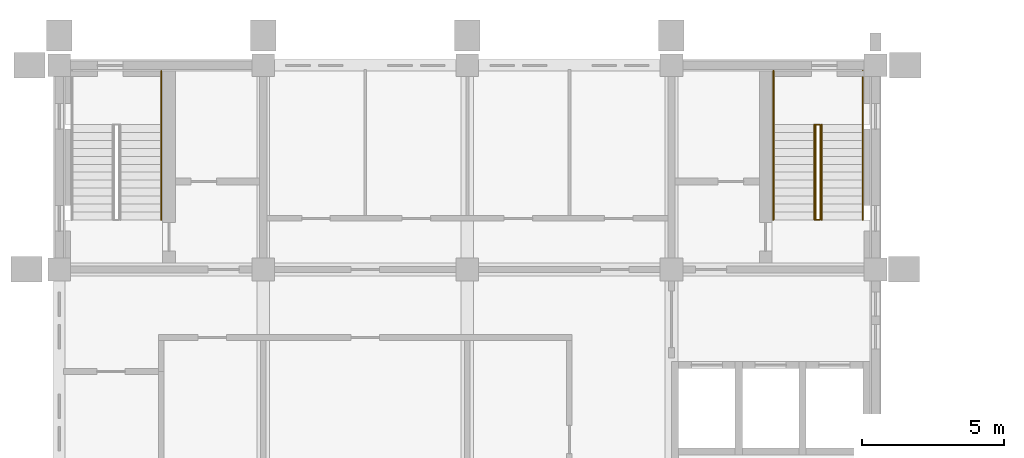
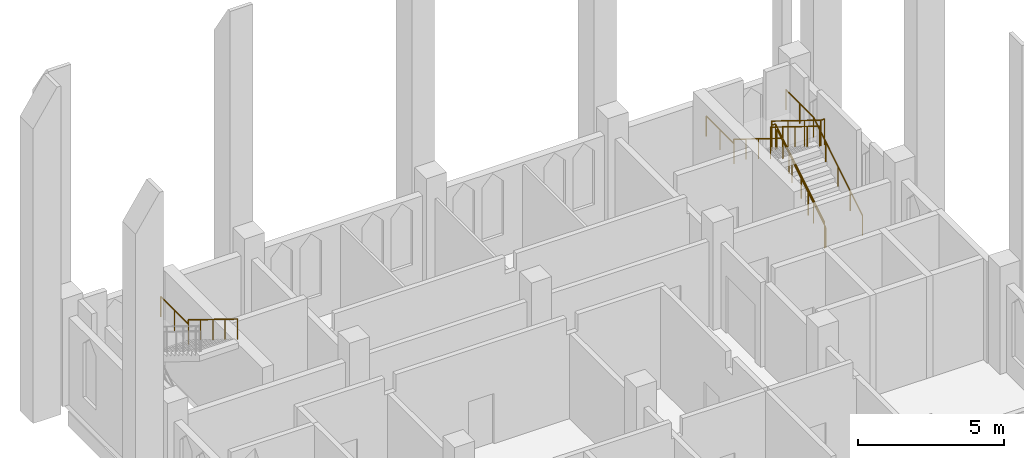
# One storey, part 29 of 29: 6 railings.
"""IFC4 building model written with IfcOpenShell, lengths in metres."""

from ifc_helpers import new_model, si_unit, direction, frame, origin, origin_2d, place, context, subcontext, project, spatial, circle, extrude, material, type_object, element, save


model = new_model("IFC4")

# Units and contexts
model_context = context("Model", 3, precision=1e-05, world=origin(), true_north=direction((0.0, 1.0)))
body_context = subcontext(model_context, "Body", "Model", "MODEL_VIEW")
ifc_project = project(units=[si_unit("LENGTHUNIT", "METRE"), si_unit("AREAUNIT", "SQUARE_METRE"), si_unit("VOLUMEUNIT", "CUBIC_METRE"), si_unit("PLANEANGLEUNIT", "RADIAN"), si_unit("MASSUNIT", "GRAM", prefix="KILO")], contexts=[model_context])

# Site, building, storey
site_placement = place(None, origin())
site = spatial("IfcSite", under=ifc_project, at=site_placement, CompositionType="ELEMENT")
building_placement = place(site_placement, origin())
building = spatial("IfcBuilding", under=site, at=building_placement, Name="Silangan Lancet Faculty of Sciences", CompositionType="ELEMENT")
storey_placement = place(building_placement, frame((0.0, 0.0, 40.800048828125)))
storey = spatial("IfcBuildingStorey", under=building, at=storey_placement, Name="L08", CompositionType="ELEMENT", Elevation=40.800048828125)

# Railings
ifc_material_1 = material(Name="Steel balustrade", Category="steel")
railing_type_1 = type_object("IfcRailingType", Name="STAIR GUARD 1100", PredefinedType="GUARDRAIL", material=ifc_material_1)
railing_1_placement = place(storey_placement, frame((26.85009765625, 52.14990234375, 0.173095703125)))
element("IfcRailing", 1, at=railing_1_placement, inside=storey, type_object=railing_type_1, Name="GUARD-NT-B-L08", PredefinedType="GUARDRAIL", context=body_context, shape_type="SweptSolid", body=[
    extrude(circle(Radius=0.02392578125, at=origin_2d()), frame((0.0, 0.0, 1.076171875), z_axis=(0.0, 0.850623216509, 0.525775754039), x_axis=(-1.0, 0.0, 0.0)), (0.0, 0.0, 1.0), 3.9501953125),
    extrude(circle(Radius=0.02392578125, at=origin_2d()), frame((0.0, 3.360107421875, 3.15283203125), z_axis=(-1.0, 0.0, 0.0), x_axis=(0.0, -1.0, 0.0)), (0.0, 0.0, 1.0), 0.150146484375),
    extrude(circle(Radius=0.02392578125, at=origin_2d()), frame((-0.150146484375, 3.360107421875, 3.15283203125), z_axis=(0.0, 0.0, 1.0), x_axis=(1.0, 0.0, 0.0)), (0.0, 0.0, 1.0), 0.173095703125),
    extrude(circle(Radius=0.02392578125, at=origin_2d()), frame((-0.150146484375, 3.360107421875, 3.326171875), z_axis=(0.0, -0.850623216509, 0.525775754039), x_axis=(1.0, 0.0, 0.0)), (0.0, 0.0, 1.0), 3.9501953125),
    extrude(circle(Radius=0.02392578125, at=origin_2d()), frame((-0.150146484375, 0.0, 5.40283203125), z_axis=(1.0, 0.0, 0.0), x_axis=(0.0, 1.0, 0.0)), (0.0, 0.0, 1.0), 0.150146484375),
    extrude(circle(Radius=0.02099609375, at=origin_2d()), origin(), (0.0, 0.0, 1.0), 1.052001953125),
    extrude(circle(Radius=0.02099609375, at=origin_2d()), frame((0.0, 1.1201171875, 0.6923828125)), (0.0, 0.0, 1.0), 1.052001953125),
    extrude(circle(Radius=0.02099609375, at=origin_2d()), frame((0.0, 2.239990234375, 1.384521484375)), (0.0, 0.0, 1.0), 1.052001953125),
    extrude(circle(Radius=0.02099609375, at=origin_2d()), frame((0.0, 3.360107421875, 2.076904296875)), (0.0, 0.0, 1.0), 1.052001953125),
    extrude(circle(Radius=0.02099609375, at=origin_2d()), frame((-0.150146484375, 3.360107421875, 2.076904296875)), (0.0, 0.0, 1.0), 1.052001953125),
    extrude(circle(Radius=0.02099609375, at=origin_2d()), frame((-0.150146484375, 3.360107421875, 2.25)), (0.0, 0.0, 1.0), 1.052001953125),
    extrude(circle(Radius=0.02099609375, at=origin_2d()), frame((-0.150146484375, 2.239990234375, 2.9423828125)), (0.0, 0.0, 1.0), 1.052001953125),
    extrude(circle(Radius=0.02099609375, at=origin_2d()), frame((-0.150146484375, 1.1201171875, 3.634521484375)), (0.0, 0.0, 1.0), 1.052001953125),
    extrude(circle(Radius=0.02099609375, at=origin_2d()), frame((-0.150146484375, 0.0, 4.326904296875)), (0.0, 0.0, 1.0), 1.052001953125),
    extrude(circle(Radius=0.02099609375, at=origin_2d()), frame((0.0, 0.0, 4.326904296875)), (0.0, 0.0, 1.0), 1.052001953125),
])
ifc_material_2 = material(Name="Stainless steel", Category="steel")
railing_type_2 = type_object("IfcRailingType", Name="STAIR HANDRAIL 865", PredefinedType="HANDRAIL", material=ifc_material_2)
railing_2_placement = place(storey_placement, frame((3.60009765625, 57.39990234375, 2.25)))
element("IfcRailing", 2, at=railing_2_placement, inside=storey, type_object=railing_type_2, Name="HANDRAIL-NT-A-L08-O2", PredefinedType="HANDRAIL", context=body_context, shape_type="SweptSolid", body=[
    extrude(circle(Radius=0.02392578125, at=origin_2d()), frame((0.0, 0.0, 0.8408203125), z_axis=(0.0, -1.0, 0.0), x_axis=(1.0, 0.0, 0.0)), (0.0, 0.0, 1.0), 1.889892578125),
    extrude(circle(Radius=0.02392578125, at=origin_2d()), frame((0.0, -1.889892578125, 0.8408203125), z_axis=(0.0, 0.0, 1.0), x_axis=(1.0, 0.0, 0.0)), (0.0, 0.0, 1.0), 0.173095703125),
    extrude(circle(Radius=0.02392578125, at=origin_2d()), frame((0.0, -1.889892578125, 1.01416015625), z_axis=(0.0, -0.850723215571, 0.525613936734), x_axis=(1.0, 0.0, 0.0)), (0.0, 0.0, 1.0), 0.987548828125),
    extrude(circle(Radius=0.02392578125, at=origin_2d()), frame((0.0, -2.72998046875, 1.533203125), z_axis=(0.0, -0.850544299321, 0.52590340833), x_axis=(1.0, 0.0, 0.0)), (0.0, 0.0, 1.0), 0.9873046875),
    extrude(circle(Radius=0.02392578125, at=origin_2d()), frame((0.0, -3.56982421875, 2.05224609375), z_axis=(0.0, -0.85061266112, 0.525792830631), x_axis=(1.0, 0.0, 0.0)), (0.0, 0.0, 1.0), 0.987548828125),
    extrude(circle(Radius=0.02392578125, at=origin_2d()), frame((0.0, -4.409912109375, 2.57177734375), z_axis=(0.0, -0.85061266112, 0.525792830631), x_axis=(1.0, 0.0, 0.0)), (0.0, 0.0, 1.0), 0.987548828125),
    extrude(circle(Radius=0.02099609375, at=origin_2d()), origin(), (0.0, 0.0, 1.0), 0.81689453125),
    extrude(circle(Radius=0.02099609375, at=origin_2d()), frame((0.0, -0.94482421875, 0.0)), (0.0, 0.0, 1.0), 0.81689453125),
    extrude(circle(Radius=0.02099609375, at=origin_2d()), frame((0.0, -1.889892578125, 0.0)), (0.0, 0.0, 1.0), 0.81689453125),
    extrude(circle(Radius=0.02099609375, at=origin_2d()), frame((0.0, -1.889892578125, 0.173095703125)), (0.0, 0.0, 1.0), 0.81689453125),
    extrude(circle(Radius=0.02099609375, at=origin_2d()), frame((0.0, -2.72998046875, 0.692138671875)), (0.0, 0.0, 1.0), 0.81689453125),
    extrude(circle(Radius=0.02099609375, at=origin_2d()), frame((0.0, -3.56982421875, 1.21142578125)), (0.0, 0.0, 1.0), 0.81689453125),
    extrude(circle(Radius=0.02099609375, at=origin_2d()), frame((0.0, -4.409912109375, 1.730712890625)), (0.0, 0.0, 1.0), 0.81689453125),
    extrude(circle(Radius=0.02099609375, at=origin_2d()), frame((0.0, -5.25, 2.25)), (0.0, 0.0, 1.0), 0.81689453125),
])
railing_3_placement = place(storey_placement, frame((28.35009765625, 52.14990234375, 0.173095703125)))
element("IfcRailing", 3, at=railing_3_placement, inside=storey, type_object=railing_type_2, Name="HANDRAIL-NT-B-L08-O1", PredefinedType="HANDRAIL", context=body_context, shape_type="SweptSolid", body=[
    extrude(circle(Radius=0.02392578125, at=origin_2d()), frame((0.0, 0.0, 0.8408203125), z_axis=(0.0, 0.850723215571, 0.525613936734), x_axis=(-1.0, 0.0, 0.0)), (0.0, 0.0, 1.0), 0.987548828125),
    extrude(circle(Radius=0.02392578125, at=origin_2d()), frame((0.0, 0.840087890625, 1.35986328125), z_axis=(0.0, 0.85061266112, 0.525792830631), x_axis=(-1.0, 0.0, 0.0)), (0.0, 0.0, 1.0), 0.987548828125),
    extrude(circle(Radius=0.02392578125, at=origin_2d()), frame((0.0, 1.68017578125, 1.87939453125), z_axis=(0.0, 0.850544299321, 0.52590340833), x_axis=(-1.0, 0.0, 0.0)), (0.0, 0.0, 1.0), 0.9873046875),
    extrude(circle(Radius=0.02392578125, at=origin_2d()), frame((0.0, 2.52001953125, 2.3984375), z_axis=(0.0, 0.85061266112, 0.525792830631), x_axis=(-1.0, 0.0, 0.0)), (0.0, 0.0, 1.0), 0.987548828125),
    extrude(circle(Radius=0.02392578125, at=origin_2d()), frame((0.0, 3.360107421875, 2.91796875), z_axis=(0.0, 1.0, 0.0), x_axis=(-1.0, 0.0, 0.0)), (0.0, 0.0, 1.0), 1.889892578125),
    extrude(circle(Radius=0.02099609375, at=origin_2d()), origin(), (0.0, 0.0, 1.0), 0.81689453125),
    extrude(circle(Radius=0.02099609375, at=origin_2d()), frame((0.0, 0.840087890625, 0.51904296875)), (0.0, 0.0, 1.0), 0.81689453125),
    extrude(circle(Radius=0.02099609375, at=origin_2d()), frame((0.0, 1.68017578125, 1.038330078125)), (0.0, 0.0, 1.0), 0.81689453125),
    extrude(circle(Radius=0.02099609375, at=origin_2d()), frame((0.0, 2.52001953125, 1.5576171875)), (0.0, 0.0, 1.0), 0.81689453125),
    extrude(circle(Radius=0.02099609375, at=origin_2d()), frame((0.0, 3.360107421875, 2.076904296875)), (0.0, 0.0, 1.0), 0.81689453125),
    extrude(circle(Radius=0.02099609375, at=origin_2d()), frame((0.0, 4.30517578125, 2.076904296875)), (0.0, 0.0, 1.0), 0.81689453125),
    extrude(circle(Radius=0.02099609375, at=origin_2d()), frame((0.0, 5.25, 2.076904296875)), (0.0, 0.0, 1.0), 0.81689453125),
])
railing_4_placement = place(storey_placement, frame((26.89990234375, 52.14990234375, 0.173095703125)))
element("IfcRailing", 4, at=railing_4_placement, inside=storey, type_object=railing_type_2, Name="HANDRAIL-NT-B-L08-I1", PredefinedType="HANDRAIL", context=body_context, shape_type="SweptSolid", body=[
    extrude(circle(Radius=0.02392578125, at=origin_2d()), frame((0.0, 0.0, 0.8408203125), z_axis=(0.0, 0.850723215571, 0.525613936734), x_axis=(-1.0, 0.0, 0.0)), (0.0, 0.0, 1.0), 0.987548828125),
    extrude(circle(Radius=0.02392578125, at=origin_2d()), frame((0.0, 0.840087890625, 1.35986328125), z_axis=(0.0, 0.85061266112, 0.525792830631), x_axis=(-1.0, 0.0, 0.0)), (0.0, 0.0, 1.0), 0.987548828125),
    extrude(circle(Radius=0.02392578125, at=origin_2d()), frame((0.0, 1.68017578125, 1.87939453125), z_axis=(0.0, 0.850544299321, 0.52590340833), x_axis=(-1.0, 0.0, 0.0)), (0.0, 0.0, 1.0), 0.9873046875),
    extrude(circle(Radius=0.02392578125, at=origin_2d()), frame((0.0, 2.52001953125, 2.3984375), z_axis=(0.0, 0.85061266112, 0.525792830631), x_axis=(-1.0, 0.0, 0.0)), (0.0, 0.0, 1.0), 0.987548828125),
    extrude(circle(Radius=0.02099609375, at=origin_2d()), origin(), (0.0, 0.0, 1.0), 0.81689453125),
    extrude(circle(Radius=0.02099609375, at=origin_2d()), frame((0.0, 0.840087890625, 0.51904296875)), (0.0, 0.0, 1.0), 0.81689453125),
    extrude(circle(Radius=0.02099609375, at=origin_2d()), frame((0.0, 1.68017578125, 1.038330078125)), (0.0, 0.0, 1.0), 0.81689453125),
    extrude(circle(Radius=0.02099609375, at=origin_2d()), frame((0.0, 2.52001953125, 1.5576171875)), (0.0, 0.0, 1.0), 0.81689453125),
    extrude(circle(Radius=0.02099609375, at=origin_2d()), frame((0.0, 3.360107421875, 2.076904296875)), (0.0, 0.0, 1.0), 0.81689453125),
])
railing_5_placement = place(storey_placement, frame((25.199951171875, 57.39990234375, 2.25)))
element("IfcRailing", 5, at=railing_5_placement, inside=storey, type_object=railing_type_2, Name="HANDRAIL-NT-B-L08-O2", PredefinedType="HANDRAIL", context=body_context, shape_type="SweptSolid", body=[
    extrude(circle(Radius=0.02392578125, at=origin_2d()), frame((0.0, 0.0, 0.8408203125), z_axis=(0.0, -1.0, 0.0), x_axis=(1.0, 0.0, 0.0)), (0.0, 0.0, 1.0), 1.889892578125),
    extrude(circle(Radius=0.02392578125, at=origin_2d()), frame((0.0, -1.889892578125, 0.8408203125), z_axis=(0.0, 0.0, 1.0), x_axis=(1.0, 0.0, 0.0)), (0.0, 0.0, 1.0), 0.173095703125),
    extrude(circle(Radius=0.02392578125, at=origin_2d()), frame((0.0, -1.889892578125, 1.01416015625), z_axis=(0.0, -0.850723215571, 0.525613936734), x_axis=(1.0, 0.0, 0.0)), (0.0, 0.0, 1.0), 0.987548828125),
    extrude(circle(Radius=0.02392578125, at=origin_2d()), frame((0.0, -2.72998046875, 1.533203125), z_axis=(0.0, -0.850544299321, 0.52590340833), x_axis=(1.0, 0.0, 0.0)), (0.0, 0.0, 1.0), 0.9873046875),
    extrude(circle(Radius=0.02392578125, at=origin_2d()), frame((0.0, -3.56982421875, 2.05224609375), z_axis=(0.0, -0.85061266112, 0.525792830631), x_axis=(1.0, 0.0, 0.0)), (0.0, 0.0, 1.0), 0.987548828125),
    extrude(circle(Radius=0.02392578125, at=origin_2d()), frame((0.0, -4.409912109375, 2.57177734375), z_axis=(0.0, -0.85061266112, 0.525792830631), x_axis=(1.0, 0.0, 0.0)), (0.0, 0.0, 1.0), 0.987548828125),
    extrude(circle(Radius=0.02099609375, at=origin_2d()), origin(), (0.0, 0.0, 1.0), 0.81689453125),
    extrude(circle(Radius=0.02099609375, at=origin_2d()), frame((0.0, -0.94482421875, 0.0)), (0.0, 0.0, 1.0), 0.81689453125),
    extrude(circle(Radius=0.02099609375, at=origin_2d()), frame((0.0, -1.889892578125, 0.0)), (0.0, 0.0, 1.0), 0.81689453125),
    extrude(circle(Radius=0.02099609375, at=origin_2d()), frame((0.0, -1.889892578125, 0.173095703125)), (0.0, 0.0, 1.0), 0.81689453125),
    extrude(circle(Radius=0.02099609375, at=origin_2d()), frame((0.0, -2.72998046875, 0.692138671875)), (0.0, 0.0, 1.0), 0.81689453125),
    extrude(circle(Radius=0.02099609375, at=origin_2d()), frame((0.0, -3.56982421875, 1.21142578125)), (0.0, 0.0, 1.0), 0.81689453125),
    extrude(circle(Radius=0.02099609375, at=origin_2d()), frame((0.0, -4.409912109375, 1.730712890625)), (0.0, 0.0, 1.0), 0.81689453125),
    extrude(circle(Radius=0.02099609375, at=origin_2d()), frame((0.0, -5.25, 2.25)), (0.0, 0.0, 1.0), 0.81689453125),
])
railing_6_placement = place(storey_placement, frame((26.64990234375, 55.510009765625, 2.423095703125)))
element("IfcRailing", 6, at=railing_6_placement, inside=storey, type_object=railing_type_2, Name="HANDRAIL-NT-B-L08-I2", PredefinedType="HANDRAIL", context=body_context, shape_type="SweptSolid", body=[
    extrude(circle(Radius=0.02392578125, at=origin_2d()), frame((0.0, 0.0, 0.8408203125), z_axis=(0.0, -0.850723215571, 0.525613936734), x_axis=(1.0, 0.0, 0.0)), (0.0, 0.0, 1.0), 0.987548828125),
    extrude(circle(Radius=0.02392578125, at=origin_2d()), frame((0.0, -0.840087890625, 1.35986328125), z_axis=(0.0, -0.850544299321, 0.52590340833), x_axis=(1.0, 0.0, 0.0)), (0.0, 0.0, 1.0), 0.9873046875),
    extrude(circle(Radius=0.02392578125, at=origin_2d()), frame((0.0, -1.679931640625, 1.87939453125), z_axis=(0.0, -0.85061266112, 0.525792830631), x_axis=(1.0, 0.0, 0.0)), (0.0, 0.0, 1.0), 0.987548828125),
    extrude(circle(Radius=0.02392578125, at=origin_2d()), frame((0.0, -2.52001953125, 2.3984375), z_axis=(0.0, -0.85061266112, 0.525792830631), x_axis=(1.0, 0.0, 0.0)), (0.0, 0.0, 1.0), 0.987548828125),
    extrude(circle(Radius=0.02099609375, at=origin_2d()), origin(), (0.0, 0.0, 1.0), 0.81689453125),
    extrude(circle(Radius=0.02099609375, at=origin_2d()), frame((0.0, -0.840087890625, 0.51904296875)), (0.0, 0.0, 1.0), 0.81689453125),
    extrude(circle(Radius=0.02099609375, at=origin_2d()), frame((0.0, -1.679931640625, 1.038330078125)), (0.0, 0.0, 1.0), 0.81689453125),
    extrude(circle(Radius=0.02099609375, at=origin_2d()), frame((0.0, -2.52001953125, 1.5576171875)), (0.0, 0.0, 1.0), 0.81689453125),
    extrude(circle(Radius=0.02099609375, at=origin_2d()), frame((0.0, -3.360107421875, 2.076904296875)), (0.0, 0.0, 1.0), 0.81689453125),
])

save(model, "model.ifc")
